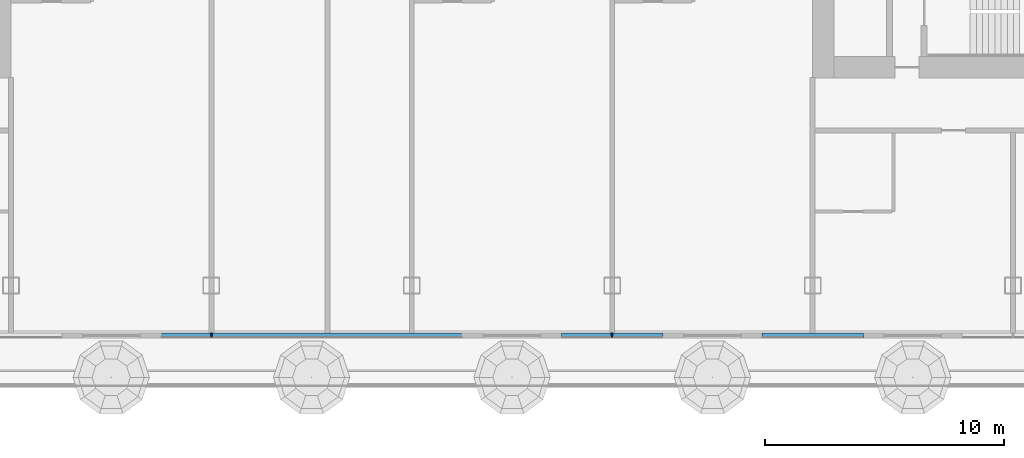
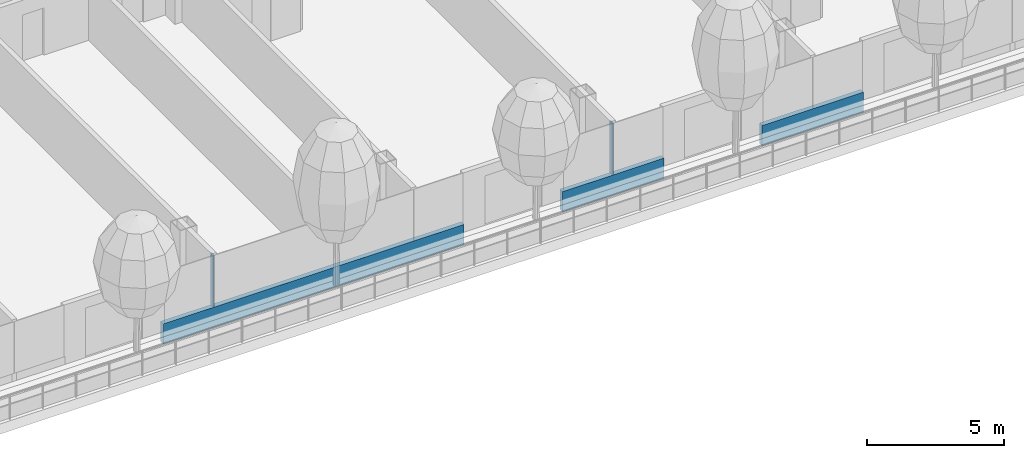
# One storey, part 4 of 29: 5 members, 1 element without a shape of its own.
"""IFC4 building model written with IfcOpenShell, lengths in metres."""

from ifc_helpers import new_model, si_unit, direction, frame, origin, origin_2d, place, context, subcontext, project, spatial, rectangle, extrude, material, layer, layer_set, material_profile, profile_set, type_object, element, aggregate, save


model = new_model("IFC4")

# Units and contexts
model_context = context("Model", 3, precision=1e-05, world=origin(), true_north=direction((0.0, 1.0)))
body_context = subcontext(model_context, "Body", "Model", "MODEL_VIEW")
ifc_project = project(units=[si_unit("LENGTHUNIT", "METRE"), si_unit("AREAUNIT", "SQUARE_METRE"), si_unit("VOLUMEUNIT", "CUBIC_METRE"), si_unit("PLANEANGLEUNIT", "RADIAN"), si_unit("MASSUNIT", "GRAM", prefix="KILO")], contexts=[model_context])

# Site, building, storey
site_placement = place(None, origin())
site = spatial("IfcSite", under=ifc_project, at=site_placement, CompositionType="ELEMENT")
building_placement = place(site_placement, origin())
building = spatial("IfcBuilding", under=site, at=building_placement, Name="Hakoniwa Tower and Hamabe Station Hall", CompositionType="ELEMENT")
storey_placement = place(building_placement, frame((0.0, 0.0, 163.0)))
storey = spatial("IfcBuildingStorey", under=building, at=storey_placement, Name="L46", CompositionType="ELEMENT", Elevation=163.0)

# Curtain wall, members
ifc_material_1 = material(Name="Dark low-e laminated glass", Category="glass")
ifc_layer = layer(ifc_material_1, 0.199951171875)
ifc_layer_set = layer_set([ifc_layer], Name="CW-1 UNITISED GUEST")
curtain_wall_type = type_object("IfcCurtainWallType", Name="CW-1 UNITISED GUEST", PredefinedType="NOTDEFINED", material=ifc_layer_set)
curtain_wall_placement = place(storey_placement, origin())
curtain_wall = element("IfcCurtainWall", 1, at=curtain_wall_placement, inside=storey, type_object=curtain_wall_type, Name="CW-1 curtain wall", PredefinedType="NOTDEFINED")
ifc_material_2 = material(Name="Aluminium 6063-T5 black anodised", Category="aluminium")
ifc_material_profile_1 = material_profile(ifc_material_2, rectangle(XDim=0.199951171875, YDim=0.89990234375, at=origin_2d()), Name="CW SLAB-EDGE BAND 900X200")
ifc_profile_set_1 = profile_set([ifc_material_profile_1], Name="Aluminium 6063-T5 black anodised")
member_type_1 = type_object("IfcMemberType", Name="CW SLAB-EDGE BAND 900X200", PredefinedType="USERDEFINED", material=ifc_profile_set_1)
member_1_placement = place(storey_placement, frame((-10.530029296875, -19.199951171875, -0.10009765625), z_axis=(1.0, 0.0, 0.0), x_axis=(0.0, 1.0, 0.0)))
member_1 = element("IfcMember", 2, at=member_1_placement, type_object=member_type_1, Name="CW-1 transom", ObjectType="TRANSOM", PredefinedType="USERDEFINED", context=body_context, shape_type="SweptSolid", body=[
    extrude(rectangle(XDim=0.199951171875, YDim=0.89990234375, at=origin_2d()), origin(), (0.0, 0.0, 1.0), 12.659912109375),
])
member_2_placement = place(storey_placement, frame((6.27001953125, -19.199951171875, -0.10009765625), z_axis=(1.0, 0.0, 0.0), x_axis=(0.0, 1.0, 0.0)))
member_2 = element("IfcMember", 3, at=member_2_placement, type_object=member_type_1, Name="CW-1 transom", ObjectType="TRANSOM", PredefinedType="USERDEFINED", context=body_context, shape_type="SweptSolid", body=[
    extrude(rectangle(XDim=0.199951171875, YDim=0.89990234375, at=origin_2d()), origin(), (0.0, 0.0, 1.0), 4.260009765625),
])
member_3_placement = place(storey_placement, frame((14.669921875, -19.199951171875, -0.10009765625), z_axis=(1.0, 0.0, 0.0), x_axis=(0.0, 1.0, 0.0)))
member_3 = element("IfcMember", 4, at=member_3_placement, type_object=member_type_1, Name="CW-1 transom", ObjectType="TRANSOM", PredefinedType="USERDEFINED", context=body_context, shape_type="SweptSolid", body=[
    extrude(rectangle(XDim=0.199951171875, YDim=0.89990234375, at=origin_2d()), origin(), (0.0, 0.0, 1.0), 4.260009765625),
])
ifc_material_3 = material(Name="Aluminium 6063-T5 black anodised", Category="aluminium")
ifc_material_profile_2 = material_profile(ifc_material_3, rectangle(XDim=0.06005859375, YDim=0.179931640625, at=origin_2d()), Name="CW-1 MULLION 60X180")
ifc_profile_set_2 = profile_set([ifc_material_profile_2], Name="Aluminium 6063-T5 black anodised")
member_type_2 = type_object("IfcMemberType", Name="CW-1 MULLION 60X180", PredefinedType="MULLION", material=ifc_profile_set_2)
member_4_placement = place(storey_placement, frame((-8.39990234375, -19.181884765625, 0.35009765625), z_axis=(0.0, 0.0, 1.0), x_axis=(1.0, 0.0, 0.0)))
member_4 = element("IfcMember", 5, at=member_4_placement, type_object=member_type_2, Name="CW-1 mullion", PredefinedType="MULLION", context=body_context, shape_type="SweptSolid", body=[
    extrude(rectangle(XDim=0.06005859375, YDim=0.179931640625, at=origin_2d()), origin(), (0.0, 0.0, 1.0), 2.2998046875),
])
member_5_placement = place(storey_placement, frame((8.39990234375, -19.181884765625, 0.35009765625), z_axis=(0.0, 0.0, 1.0), x_axis=(1.0, 0.0, 0.0)))
member_5 = element("IfcMember", 6, at=member_5_placement, type_object=member_type_2, Name="CW-1 mullion", PredefinedType="MULLION", context=body_context, shape_type="SweptSolid", body=[
    extrude(rectangle(XDim=0.06005859375, YDim=0.179931640625, at=origin_2d()), origin(), (0.0, 0.0, 1.0), 2.2998046875),
])
aggregate(curtain_wall, [member_4, member_5, member_1, member_2, member_3])

save(model, "model.ifc")
